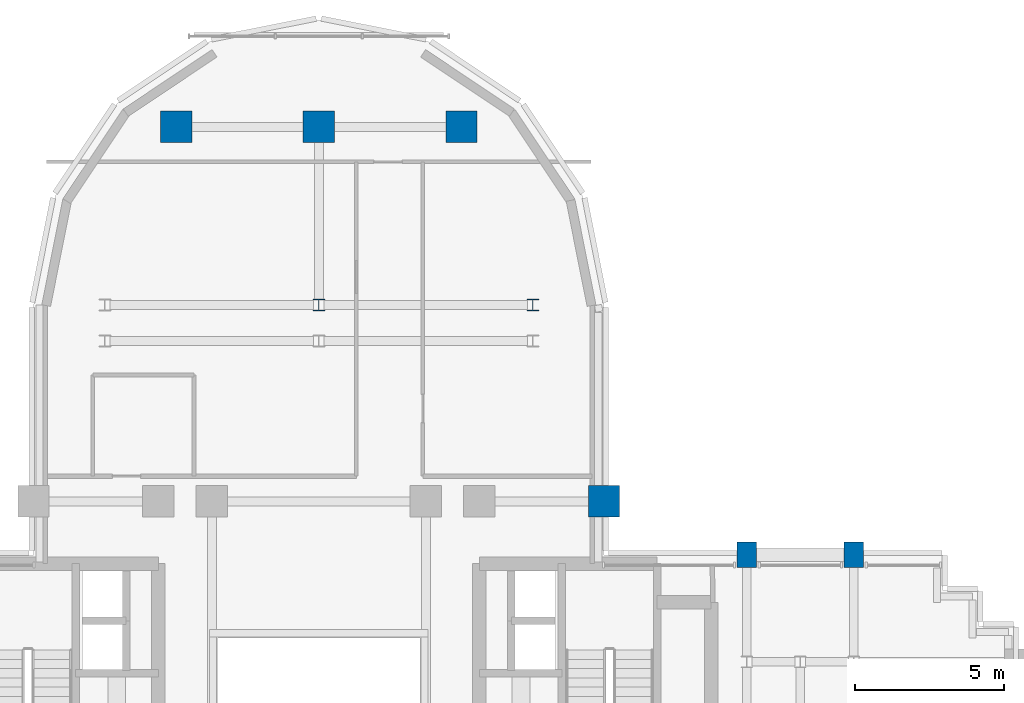
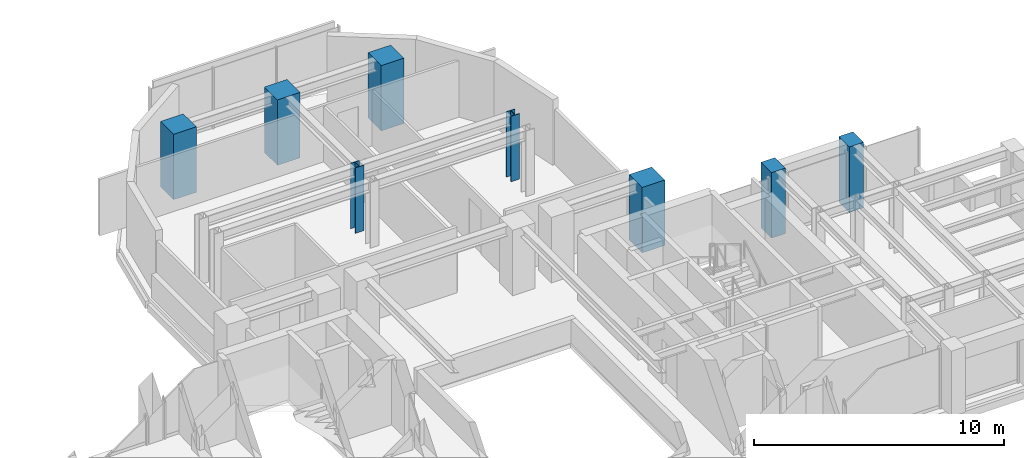
# One storey, part 2 of 13: 8 columns.
"""IFC4 building model written with IfcOpenShell, lengths in metres."""

from ifc_helpers import new_model, si_unit, direction, frame, origin, origin_2d, place, context, subcontext, project, spatial, rectangle, i_section, extrude, source, transform, mapped, material, material_profile, profile_set, type_object, element, save


model = new_model("IFC4")

# Units and contexts
model_context = context("Model", 3, precision=1e-05, world=origin(), true_north=direction((0.0, 1.0)))
body_context = subcontext(model_context, "Body", "Model", "MODEL_VIEW")
ifc_project = project(units=[si_unit("LENGTHUNIT", "METRE"), si_unit("AREAUNIT", "SQUARE_METRE"), si_unit("VOLUMEUNIT", "CUBIC_METRE"), si_unit("PLANEANGLEUNIT", "RADIAN"), si_unit("MASSUNIT", "GRAM", prefix="KILO")], contexts=[model_context])

# Site, building, storey
site_placement = place(None, origin())
site = spatial("IfcSite", under=ifc_project, at=site_placement, CompositionType="ELEMENT")
building_placement = place(site_placement, origin())
building = spatial("IfcBuilding", under=site, at=building_placement, Name="Keilestroom Media Tower", CompositionType="ELEMENT")
storey_placement = place(building_placement, frame((0.0, 0.0, 104.0)))
storey = spatial("IfcBuildingStorey", under=building, at=storey_placement, Name="L27", CompositionType="ELEMENT", Elevation=104.0)

# Columns
ifc_material_1 = material(Name="Precast concrete C40/50", Category="concrete")
ifc_material_profile_1 = material_profile(ifc_material_1, rectangle(XDim=0.64990234375, YDim=0.85009765625, at=origin_2d()), Name="PC 850x650")
ifc_profile_set_1 = profile_set([ifc_material_profile_1], Name="Precast concrete C40/50")
column_type_1 = type_object("IfcColumnType", Name="Structural-Column-PC-850x650", PredefinedType="COLUMN", material=ifc_profile_set_1)
shared_shape_1 = source(origin(), body_context, "Body", "SweptSolid", [
    extrude(rectangle(XDim=0.64990234375, YDim=0.85009765625, at=origin_2d()), origin(), (0.0, 0.0, 1.0), 3.199951171875),
])
for number, where, z_axis, x_axis, name in (
    (1, (14.39990234375, 7.199951171875, 0.0), (0.0, 0.0, 1.0), (1.0, 0.0, 0.0), "L27 Column PC-2 (+14.4,+7.2)"),
    (2, (18.0, 7.199951171875, 0.0), (0.0, 0.0, 1.0), (1.0, 0.0, 0.0), "L27 Column PC-2 (+18.0,+7.2)"),
):
    element("IfcColumn", number, at=place(storey_placement, frame(where, z_axis=z_axis, x_axis=x_axis)), inside=storey, type_object=column_type_1, Name=name, PredefinedType="COLUMN", context=body_context, shape_type="MappedRepresentation", body=[
        mapped(shared_shape_1, transform((0.0, 0.0, 0.0), x_axis=(1.0, 0.0, 0.0), y_axis=(0.0, 1.0, 0.0), z_axis=(0.0, 0.0, 1.0), scale=1.0)),
    ])
ifc_material_2 = material(Name="Steel S355", Category="steel")
ifc_material_profile_2 = material_profile(ifc_material_2, i_section(OverallWidth=0.40087890625, OverallDepth=0.39892578125, WebThickness=0.02001953125, FlangeThickness=0.031982421875, at=origin_2d()), Name="HD 400x314")
ifc_profile_set_2 = profile_set([ifc_material_profile_2], Name="Steel S355")
column_type_2 = type_object("IfcColumnType", Name="Structural-Column-HD-400x314", PredefinedType="COLUMN", material=ifc_profile_set_2)
shared_shape_2 = source(origin(), body_context, "Body", "SweptSolid", [
    extrude(i_section(OverallWidth=0.40087890625, OverallDepth=0.39892578125, WebThickness=0.02001953125, FlangeThickness=0.031982421875, at=origin_2d()), origin(), (0.0, 0.0, 1.0), 3.199951171875),
])
for number, where, z_axis, x_axis, name in (
    (3, (0.0, 15.60009765625, 0.0), (0.0, 0.0, 1.0), (1.0, 0.0, 0.0), "L27 Column SC-3 (+0.0,+15.6)"),
    (4, (7.199951171875, 15.60009765625, 0.0), (0.0, 0.0, 1.0), (1.0, 0.0, 0.0), "L27 Column SC-3 (+7.2,+15.6)"),
):
    element("IfcColumn", number, at=place(storey_placement, frame(where, z_axis=z_axis, x_axis=x_axis)), inside=storey, type_object=column_type_2, Name=name, PredefinedType="COLUMN", context=body_context, shape_type="MappedRepresentation", body=[
        mapped(shared_shape_2, transform((0.0, 0.0, 0.0), x_axis=(1.0, 0.0, 0.0), y_axis=(0.0, 1.0, 0.0), z_axis=(0.0, 0.0, 1.0), scale=1.0)),
    ])
ifc_material_3 = material(Name="Concrete C55/67", Category="concrete")
ifc_material_profile_3 = material_profile(ifc_material_3, rectangle(XDim=1.050048828125, YDim=1.050048828125, at=origin_2d()), Name="RC 1050x1050")
ifc_profile_set_3 = profile_set([ifc_material_profile_3], Name="Concrete C55/67")
column_type_3 = type_object("IfcColumnType", Name="Structural-Column-RC-1050x1050", PredefinedType="COLUMN", material=ifc_profile_set_3)
shared_shape_3 = source(origin(), body_context, "Body", "SweptSolid", [
    extrude(rectangle(XDim=1.050048828125, YDim=1.050048828125, at=origin_2d()), origin(), (0.0, 0.0, 1.0), 3.199951171875),
])
for number, where, z_axis, x_axis, name in (
    (5, (-4.800048828125, 21.60009765625, 0.0), (0.0, 0.0, 1.0), (1.0, 0.0, 0.0), "L27 Column MC-3 (-4.8,+21.6)"),
    (6, (0.0, 21.60009765625, 0.0), (0.0, 0.0, 1.0), (1.0, 0.0, 0.0), "L27 Column MC-3 (+0.0,+21.6)"),
    (7, (4.800048828125, 21.60009765625, 0.0), (0.0, 0.0, 1.0), (1.0, 0.0, 0.0), "L27 Column MC-3 (+4.8,+21.6)"),
    (8, (9.60009765625, 9.0, 0.0), (0.0, 0.0, 1.0), (1.0, 0.0, 0.0), "L27 Column MC-3 (+9.6,+9.0)"),
):
    element("IfcColumn", number, at=place(storey_placement, frame(where, z_axis=z_axis, x_axis=x_axis)), inside=storey, type_object=column_type_3, Name=name, PredefinedType="COLUMN", context=body_context, shape_type="MappedRepresentation", body=[
        mapped(shared_shape_3, transform((0.0, 0.0, 0.0), x_axis=(1.0, 0.0, 0.0), y_axis=(0.0, 1.0, 0.0), z_axis=(0.0, 0.0, 1.0), scale=1.0)),
    ])

save(model, "model.ifc")
